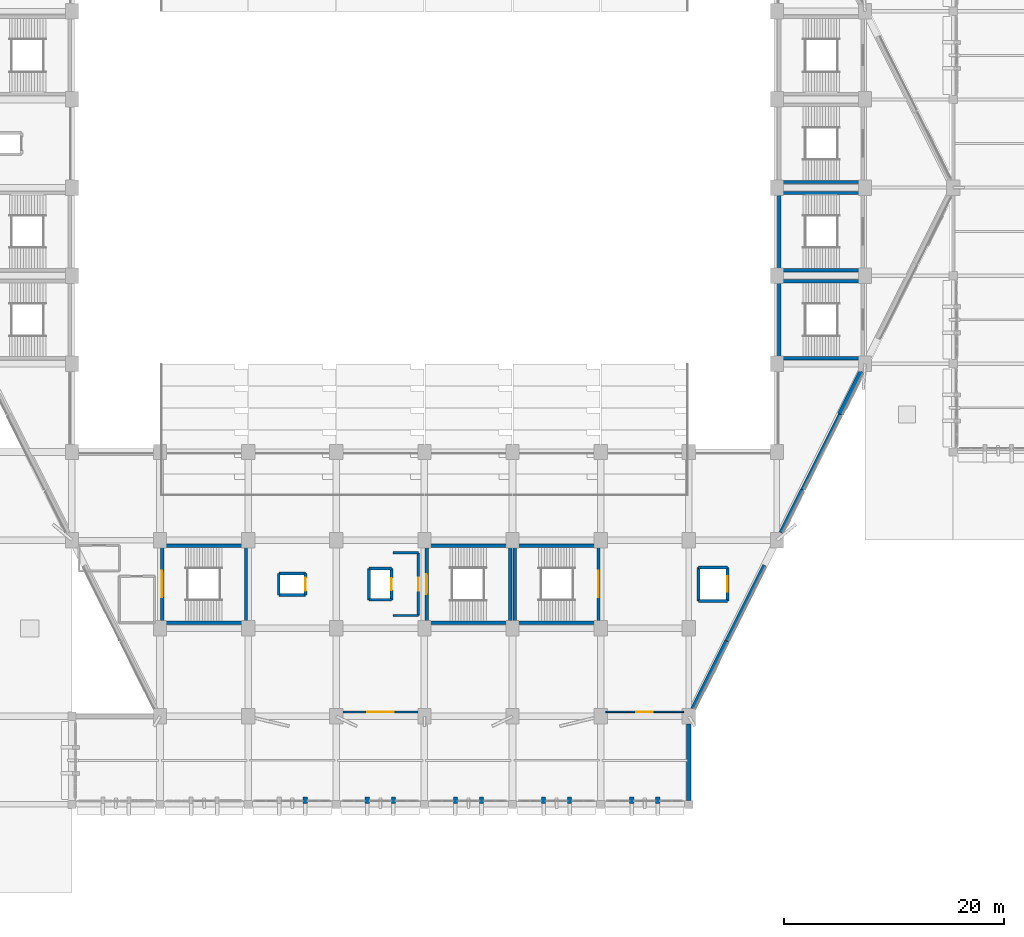
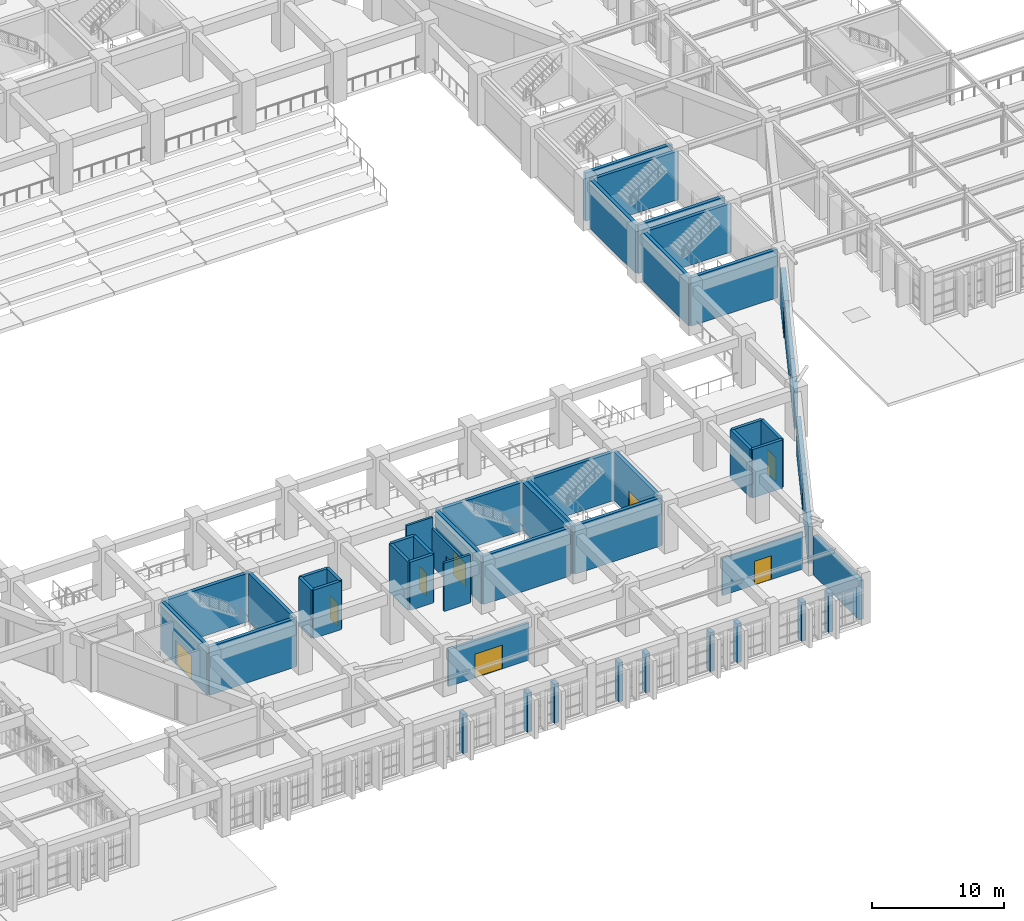
# One storey, part 135 of 155: 51 walls, 9 doors, 9 openings.
"""IFC4 building model written with IfcOpenShell, lengths in metres."""

from ifc_helpers import new_model, si_unit, direction, frame, frame_2d, origin, place, context, subcontext, project, spatial, rectangle, extrude, material, layer, layer_set, type_object, element, fill, save


model = new_model("IFC4")

# Units and contexts
model_context = context("Model", 3, precision=1e-05, world=origin(), true_north=direction((0.0, 1.0)))
body_context = subcontext(model_context, "Body", "Model", "MODEL_VIEW")
ifc_project = project(units=[si_unit("LENGTHUNIT", "METRE"), si_unit("AREAUNIT", "SQUARE_METRE"), si_unit("VOLUMEUNIT", "CUBIC_METRE"), si_unit("PLANEANGLEUNIT", "RADIAN"), si_unit("MASSUNIT", "GRAM", prefix="KILO")], contexts=[model_context])

# Site, building, storey
site_placement = place(None, origin())
site = spatial("IfcSite", under=ifc_project, at=site_placement, CompositionType="ELEMENT")
building_placement = place(site_placement, origin())
building = spatial("IfcBuilding", under=site, at=building_placement, Name="Tazarka Park Arena", CompositionType="ELEMENT")
storey_placement = place(building_placement, frame((0.0, 0.0, 5.39990234375)))
storey = spatial("IfcBuildingStorey", under=building, at=storey_placement, Name="L01", CompositionType="ELEMENT", Elevation=5.39990234375)

# Wall
ifc_material_1 = material(Name="Concrete C40/50", Category="concrete")
ifc_layer_1 = layer(ifc_material_1, 0.300048828125, Name="Concrete C40/50")
ifc_layer_set_1 = layer_set([ifc_layer_1], Name="Concrete C40/50")
wall_type_1 = type_object("IfcWallType", Name="IWAL-CW-S1", PredefinedType="SHEAR", material=ifc_layer_set_1)
wall_1_placement = place(storey_placement, frame((71.800048828125, 24.5, 0.0), z_axis=(0.0, 0.0, 1.0), x_axis=(-1.0, 0.0, 0.0)))
element("IfcWall", 1, at=wall_1_placement, inside=storey, type_object=wall_type_1, Name="SCW-L01-ST09-S", PredefinedType="SHEAR", context=body_context, shape_type="SweptSolid", body=[
    extrude(rectangle(XDim=7.60009765625, YDim=0.300048828125, at=frame_2d((3.800048828125, 0.0))), origin(), (0.0, 0.0, 1.0), 4.47998046875),
])

# Wall, opening, door
wall_2_placement = place(storey_placement, frame((64.199951171875, 24.5, 0.0), z_axis=(0.0, 0.0, 1.0), x_axis=(0.0, 1.0, 0.0)))
wall_2 = element("IfcWall", 2, at=wall_2_placement, inside=storey, type_object=wall_type_1, Name="SCW-L01-ST09-W", PredefinedType="SHEAR", context=body_context, shape_type="SweptSolid", body=[
    extrude(rectangle(XDim=7.0, YDim=0.300048828125, at=frame_2d((3.5, 0.0))), origin(), (0.0, 0.0, 1.0), 4.47998046875),
])
opening_1_placement = place(wall_2_placement, frame((2.300048828125, 0.0, 0.0)))
opening_1 = element("IfcOpeningElement", 3, at=opening_1_placement, cuts=wall_2, Name="Opening ID-05", PredefinedType="OPENING", context=body_context, shape_type="SweptSolid", body=[
    extrude(rectangle(XDim=2.39990234375, YDim=2.199951171875, at=frame_2d((1.199951171875, 1.10009765625))), frame((0.0, 0.16015625, 0.0), z_axis=(0.0, -1.0, 0.0), x_axis=(1.0, 0.0, 0.0)), (0.0, 0.0, 1.0), 0.320068359375),
])
ifc_material_2 = material(Name="Fire-rated powder-coated steel and acoustic timber", Category="steel")
door_type_1 = type_object("IfcDoorType", Name="IDR-ID-05", OperationType="NOTDEFINED", PredefinedType="DOOR", material=ifc_material_2)
door_1_placement = place(opening_1_placement, frame((2.39990234375, 0.0, 0.0), z_axis=(0.0, 0.0, 1.0), x_axis=(-1.0, 0.0, 0.0)))
door_1 = element("IfcDoor", 4, at=door_1_placement, inside=storey, type_object=door_type_1, Name="Exit Stair Door ST09-L01", OperationType="DOUBLE_DOOR_SINGLE_SWING", OverallHeight=2.199951171875, OverallWidth=2.39990234375, PredefinedType="DOOR", context=body_context, shape_type="SweptSolid", body=[
    extrude(rectangle(XDim=2.39990234375, YDim=2.199951171875, at=frame_2d((1.199951171875, 1.10009765625))), frame((0.0, 0.02490234375, 0.0), z_axis=(0.0, -1.0, 0.0), x_axis=(1.0, 0.0, 0.0)), (0.0, 0.0, 1.0), 0.050048828125),
])
fill(opening_1, door_1)

# Walls
wall_3_placement = place(storey_placement, frame((64.199951171875, 31.5, 0.0), z_axis=(0.0, 0.0, 1.0), x_axis=(1.0, 0.0, 0.0)))
element("IfcWall", 5, at=wall_3_placement, inside=storey, type_object=wall_type_1, Name="SCW-L01-ST09-N", PredefinedType="SHEAR", context=body_context, shape_type="SweptSolid", body=[
    extrude(rectangle(XDim=7.60009765625, YDim=0.300048828125, at=frame_2d((3.800048828125, 0.0))), origin(), (0.0, 0.0, 1.0), 4.47998046875),
])
wall_4_placement = place(storey_placement, frame((71.800048828125, 31.5, 0.0), z_axis=(0.0, 0.0, 1.0), x_axis=(0.0, -1.0, 0.0)))
element("IfcWall", 6, at=wall_4_placement, inside=storey, type_object=wall_type_1, Name="SCW-L01-ST09-E", PredefinedType="SHEAR", context=body_context, shape_type="SweptSolid", body=[
    extrude(rectangle(XDim=7.0, YDim=0.300048828125, at=frame_2d((3.5, 0.0))), origin(), (0.0, 0.0, 1.0), 4.47998046875),
])
wall_5_placement = place(storey_placement, frame((103.800048828125, 24.5, 0.0), z_axis=(0.0, 0.0, 1.0), x_axis=(-1.0, 0.0, 0.0)))
element("IfcWall", 7, at=wall_5_placement, inside=storey, type_object=wall_type_1, Name="SCW-L01-ST11-S", PredefinedType="SHEAR", context=body_context, shape_type="SweptSolid", body=[
    extrude(rectangle(XDim=7.60009765625, YDim=0.300048828125, at=frame_2d((3.800048828125, 0.0))), origin(), (0.0, 0.0, 1.0), 4.47998046875),
])
wall_6_placement = place(storey_placement, frame((96.199951171875, 24.5, 0.0), z_axis=(0.0, 0.0, 1.0), x_axis=(0.0, 1.0, 0.0)))
element("IfcWall", 8, at=wall_6_placement, inside=storey, type_object=wall_type_1, Name="SCW-L01-ST11-W", PredefinedType="SHEAR", context=body_context, shape_type="SweptSolid", body=[
    extrude(rectangle(XDim=7.0, YDim=0.300048828125, at=frame_2d((3.5, 0.0))), origin(), (0.0, 0.0, 1.0), 4.47998046875),
])
wall_7_placement = place(storey_placement, frame((96.199951171875, 31.5, 0.0), z_axis=(0.0, 0.0, 1.0), x_axis=(1.0, 0.0, 0.0)))
element("IfcWall", 9, at=wall_7_placement, inside=storey, type_object=wall_type_1, Name="SCW-L01-ST11-N", PredefinedType="SHEAR", context=body_context, shape_type="SweptSolid", body=[
    extrude(rectangle(XDim=7.60009765625, YDim=0.300048828125, at=frame_2d((3.800048828125, 0.0))), origin(), (0.0, 0.0, 1.0), 4.47998046875),
])

# Wall, opening, door
wall_8_placement = place(storey_placement, frame((103.800048828125, 31.5, 0.0), z_axis=(0.0, 0.0, 1.0), x_axis=(0.0, -1.0, 0.0)))
wall_8 = element("IfcWall", 10, at=wall_8_placement, inside=storey, type_object=wall_type_1, Name="SCW-L01-ST11-E", PredefinedType="SHEAR", context=body_context, shape_type="SweptSolid", body=[
    extrude(rectangle(XDim=7.0, YDim=0.300048828125, at=frame_2d((3.5, 0.0))), origin(), (0.0, 0.0, 1.0), 4.47998046875),
])
opening_2_placement = place(wall_8_placement, frame((2.300048828125, 0.0, 0.0)))
opening_2 = element("IfcOpeningElement", 11, at=opening_2_placement, cuts=wall_8, Name="Opening ID-05", PredefinedType="OPENING", context=body_context, shape_type="SweptSolid", body=[
    extrude(rectangle(XDim=2.39990234375, YDim=2.199951171875, at=frame_2d((1.199951171875, 1.10009765625))), frame((0.0, 0.16015625, 0.0), z_axis=(0.0, -1.0, 0.0), x_axis=(1.0, 0.0, 0.0)), (0.0, 0.0, 1.0), 0.320068359375),
])
door_2_placement = place(opening_2_placement, frame((2.39990234375, 0.0, 0.0), z_axis=(0.0, 0.0, 1.0), x_axis=(-1.0, 0.0, 0.0)))
door_2 = element("IfcDoor", 12, at=door_2_placement, inside=storey, type_object=door_type_1, Name="Exit Stair Door ST11-L01", OperationType="DOUBLE_DOOR_SINGLE_SWING", OverallHeight=2.199951171875, OverallWidth=2.39990234375, PredefinedType="DOOR", context=body_context, shape_type="SweptSolid", body=[
    extrude(rectangle(XDim=2.39990234375, YDim=2.199951171875, at=frame_2d((1.199951171875, 1.10009765625))), frame((0.0, 0.02490234375, 0.0), z_axis=(0.0, -1.0, 0.0), x_axis=(1.0, 0.0, 0.0)), (0.0, 0.0, 1.0), 0.050048828125),
])
fill(opening_2, door_2)

# Walls
wall_9_placement = place(storey_placement, frame((127.800048828125, 56.5, 0.0), z_axis=(0.0, 0.0, 1.0), x_axis=(-1.0, 0.0, 0.0)))
element("IfcWall", 13, at=wall_9_placement, inside=storey, type_object=wall_type_1, Name="SCW-L01-ST12-S", PredefinedType="SHEAR", context=body_context, shape_type="SweptSolid", body=[
    extrude(rectangle(XDim=7.60009765625, YDim=0.300048828125, at=frame_2d((3.800048828125, 0.0))), origin(), (0.0, 0.0, 1.0), 4.47998046875),
])
wall_10_placement = place(storey_placement, frame((120.199951171875, 56.5, 0.0), z_axis=(0.0, 0.0, 1.0), x_axis=(0.0, 1.0, 0.0)))
element("IfcWall", 14, at=wall_10_placement, inside=storey, type_object=wall_type_1, Name="SCW-L01-ST12-W", PredefinedType="SHEAR", context=body_context, shape_type="SweptSolid", body=[
    extrude(rectangle(XDim=7.0, YDim=0.300048828125, at=frame_2d((3.5, 0.0))), origin(), (0.0, 0.0, 1.0), 4.47998046875),
])
for number, where, z_axis, x_axis, name in (
    (15, (120.199951171875, 63.5, 0.0), (0.0, 0.0, 1.0), (1.0, 0.0, 0.0), "SCW-L01-ST12-N"),
    (16, (127.800048828125, 64.5, 0.0), (0.0, 0.0, 1.0), (-1.0, 0.0, 0.0), "SCW-L01-ST16-S"),
    (17, (127.800048828125, 48.5, 0.0), (0.0, 0.0, 1.0), (-1.0, 0.0, 0.0), "SCW-L01-ST21-S"),
):
    element("IfcWall", number, at=place(storey_placement, frame(where, z_axis=z_axis, x_axis=x_axis)), inside=storey, type_object=wall_type_1, Name=name, PredefinedType="SHEAR", context=body_context, shape_type="SweptSolid", body=[
        extrude(rectangle(XDim=7.60009765625, YDim=0.300048828125, at=frame_2d((3.800048828125, 0.0))), origin(), (0.0, 0.0, 1.0), 4.47998046875),
    ])
wall_11_placement = place(storey_placement, frame((120.199951171875, 48.5, 0.0), z_axis=(0.0, 0.0, 1.0), x_axis=(0.0, 1.0, 0.0)))
element("IfcWall", 18, at=wall_11_placement, inside=storey, type_object=wall_type_1, Name="SCW-L01-ST21-W", PredefinedType="SHEAR", context=body_context, shape_type="SweptSolid", body=[
    extrude(rectangle(XDim=7.0, YDim=0.300048828125, at=frame_2d((3.5, 0.0))), origin(), (0.0, 0.0, 1.0), 4.47998046875),
])
for number, where, z_axis, x_axis, name in (
    (19, (120.199951171875, 55.5, 0.0), (0.0, 0.0, 1.0), (1.0, 0.0, 0.0), "SCW-L01-ST21-N"),
    (20, (95.800048828125, 24.5, 0.0), (0.0, 0.0, 1.0), (-1.0, 0.0, 0.0), "SCW-L01-ST23-S"),
):
    element("IfcWall", number, at=place(storey_placement, frame(where, z_axis=z_axis, x_axis=x_axis)), inside=storey, type_object=wall_type_1, Name=name, PredefinedType="SHEAR", context=body_context, shape_type="SweptSolid", body=[
        extrude(rectangle(XDim=7.60009765625, YDim=0.300048828125, at=frame_2d((3.800048828125, 0.0))), origin(), (0.0, 0.0, 1.0), 4.47998046875),
    ])

# Wall, opening, door
wall_12_placement = place(storey_placement, frame((88.199951171875, 24.5, 0.0), z_axis=(0.0, 0.0, 1.0), x_axis=(0.0, 1.0, 0.0)))
wall_12 = element("IfcWall", 21, at=wall_12_placement, inside=storey, type_object=wall_type_1, Name="SCW-L01-ST23-W", PredefinedType="SHEAR", context=body_context, shape_type="SweptSolid", body=[
    extrude(rectangle(XDim=7.0, YDim=0.300048828125, at=frame_2d((3.5, 0.0))), origin(), (0.0, 0.0, 1.0), 4.47998046875),
])
opening_3_placement = place(wall_12_placement, frame((2.60009765625, 0.0, 0.0)))
opening_3 = element("IfcOpeningElement", 22, at=opening_3_placement, cuts=wall_12, Name="Opening ID-04", PredefinedType="OPENING", context=body_context, shape_type="SweptSolid", body=[
    extrude(rectangle(XDim=1.800048828125, YDim=2.199951171875, at=frame_2d((0.89990234375, 1.10009765625))), frame((0.0, 0.16015625, 0.0), z_axis=(0.0, -1.0, 0.0), x_axis=(1.0, 0.0, 0.0)), (0.0, 0.0, 1.0), 0.320068359375),
])
ifc_material_3 = material(Name="Fire-rated powder-coated steel and acoustic timber", Category="steel")
door_type_2 = type_object("IfcDoorType", Name="IDR-ID-04", OperationType="NOTDEFINED", PredefinedType="DOOR", material=ifc_material_3)
door_3_placement = place(opening_3_placement, frame((1.800048828125, 0.0, 0.0), z_axis=(0.0, 0.0, 1.0), x_axis=(-1.0, 0.0, 0.0)))
door_3 = element("IfcDoor", 23, at=door_3_placement, inside=storey, type_object=door_type_2, Name="Vomitory Stair Door ST23-L01", OperationType="DOUBLE_DOOR_SINGLE_SWING", OverallHeight=2.199951171875, OverallWidth=1.800048828125, PredefinedType="DOOR", context=body_context, shape_type="SweptSolid", body=[
    extrude(rectangle(XDim=1.800048828125, YDim=2.199951171875, at=frame_2d((0.89990234375, 1.10009765625))), frame((0.0, 0.02490234375, 0.0), z_axis=(0.0, -1.0, 0.0), x_axis=(1.0, 0.0, 0.0)), (0.0, 0.0, 1.0), 0.050048828125),
])
fill(opening_3, door_3)

# Walls
wall_13_placement = place(storey_placement, frame((88.199951171875, 31.5, 0.0), z_axis=(0.0, 0.0, 1.0), x_axis=(1.0, 0.0, 0.0)))
element("IfcWall", 24, at=wall_13_placement, inside=storey, type_object=wall_type_1, Name="SCW-L01-ST23-N", PredefinedType="SHEAR", context=body_context, shape_type="SweptSolid", body=[
    extrude(rectangle(XDim=7.60009765625, YDim=0.300048828125, at=frame_2d((3.800048828125, 0.0))), origin(), (0.0, 0.0, 1.0), 4.47998046875),
])
wall_14_placement = place(storey_placement, frame((95.800048828125, 31.5, 0.0), z_axis=(0.0, 0.0, 1.0), x_axis=(0.0, -1.0, 0.0)))
element("IfcWall", 25, at=wall_14_placement, inside=storey, type_object=wall_type_1, Name="SCW-L01-ST23-E", PredefinedType="SHEAR", context=body_context, shape_type="SweptSolid", body=[
    extrude(rectangle(XDim=7.0, YDim=0.300048828125, at=frame_2d((3.5, 0.0))), origin(), (0.0, 0.0, 1.0), 4.47998046875),
])
ifc_material_4 = material(Name="Concrete C40/50", Category="concrete")
ifc_layer_2 = layer(ifc_material_4, 0.260009765625, Name="Concrete C40/50")
ifc_layer_set_2 = layer_set([ifc_layer_2], Name="Concrete C40/50")
wall_type_2 = type_object("IfcWallType", Name="IWAL-CW-S3", PredefinedType="SHEAR", material=ifc_layer_set_2)
wall_15_placement = place(storey_placement, frame((82.97998046875, 26.580078125, 0.0), z_axis=(0.0, 0.0, 1.0), x_axis=(0.0, 1.0, 0.0)))
element("IfcWall", 26, at=wall_15_placement, inside=storey, type_object=wall_type_2, Name="LSW-L01-LF-04-W", PredefinedType="SHEAR", context=body_context, shape_type="SweptSolid", body=[
    extrude(rectangle(XDim=2.83984375, YDim=0.260009765625, at=frame_2d((1.419921875, 0.0))), origin(), (0.0, 0.0, 1.0), 4.47998046875),
])
for number, where, z_axis, x_axis, name in (
    (27, (82.97998046875, 29.419921875, 0.0), (0.0, 0.0, 1.0), (1.0, 0.0, 0.0), "LSW-L01-LF-04-N"),
    (28, (85.02001953125, 26.580078125, 0.0), (0.0, 0.0, 1.0), (-1.0, 0.0, 0.0), "LSW-L01-LF-04-S"),
):
    element("IfcWall", number, at=place(storey_placement, frame(where, z_axis=z_axis, x_axis=x_axis)), inside=storey, type_object=wall_type_2, Name=name, PredefinedType="SHEAR", context=body_context, shape_type="SweptSolid", body=[
        extrude(rectangle(XDim=2.0400390625, YDim=0.260009765625, at=frame_2d((1.02001953125, 0.0))), origin(), (0.0, 0.0, 1.0), 4.47998046875),
    ])

# Wall, opening, door
wall_16_placement = place(storey_placement, frame((85.02001953125, 29.419921875, 0.0), z_axis=(0.0, 0.0, 1.0), x_axis=(0.0, -1.0, 0.0)))
wall_16 = element("IfcWall", 29, at=wall_16_placement, inside=storey, type_object=wall_type_2, Name="LSW-L01-LF-04-E", PredefinedType="SHEAR", context=body_context, shape_type="SweptSolid", body=[
    extrude(rectangle(XDim=2.83984375, YDim=0.260009765625, at=frame_2d((1.419921875, 0.0))), origin(), (0.0, 0.0, 1.0), 4.47998046875),
])
opening_4_placement = place(wall_16_placement, frame((0.8701171875, 0.0, 0.0)))
opening_4 = element("IfcOpeningElement", 30, at=opening_4_placement, cuts=wall_16, Name="Opening LD-01", PredefinedType="OPENING", context=body_context, shape_type="SweptSolid", body=[
    extrude(rectangle(XDim=1.10009765625, YDim=2.14990234375, at=frame_2d((0.550048828125, 1.074951171875))), frame((0.0, 0.14013671875, 0.0), z_axis=(0.0, -1.0, 0.0), x_axis=(1.0, 0.0, 0.0)), (0.0, 0.0, 1.0), 0.280029296875),
])
ifc_material_5 = material(Name="Fire-rated powder-coated steel and acoustic timber", Category="steel")
door_type_3 = type_object("IfcDoorType", Name="IDR-LD-01", OperationType="NOTDEFINED", PredefinedType="DOOR", material=ifc_material_5)
door_4_placement = place(opening_4_placement, origin())
door_4 = element("IfcDoor", 31, at=door_4_placement, inside=storey, type_object=door_type_3, Name="Lift Landing Door LF-04-L01", OperationType="SLIDING_TO_LEFT", OverallHeight=2.14990234375, OverallWidth=1.10009765625, PredefinedType="DOOR", context=body_context, shape_type="SweptSolid", body=[
    extrude(rectangle(XDim=1.10009765625, YDim=2.14990234375, at=frame_2d((0.550048828125, 1.074951171875))), frame((0.0, 0.02490234375, 0.0), z_axis=(0.0, -1.0, 0.0), x_axis=(1.0, 0.0, 0.0)), (0.0, 0.0, 1.0), 0.050048828125),
])
fill(opening_4, door_4)

# Walls
wall_17_placement = place(storey_placement, frame((74.780029296875, 27.030029296875, 0.0), z_axis=(0.0, 0.0, 1.0), x_axis=(0.0, 1.0, 0.0)))
element("IfcWall", 32, at=wall_17_placement, inside=storey, type_object=wall_type_2, Name="LSW-L01-LF-08-W", PredefinedType="SHEAR", context=body_context, shape_type="SweptSolid", body=[
    extrude(rectangle(XDim=1.93994140625, YDim=0.260009765625, at=frame_2d((0.969970703125, 0.0))), origin(), (0.0, 0.0, 1.0), 4.47998046875),
])
for number, where, z_axis, x_axis, name in (
    (33, (74.780029296875, 28.969970703125, 0.0), (0.0, 0.0, 1.0), (1.0, 0.0, 0.0), "LSW-L01-LF-08-N"),
    (34, (77.219970703125, 27.030029296875, 0.0), (0.0, 0.0, 1.0), (-1.0, 0.0, 0.0), "LSW-L01-LF-08-S"),
):
    element("IfcWall", number, at=place(storey_placement, frame(where, z_axis=z_axis, x_axis=x_axis)), inside=storey, type_object=wall_type_2, Name=name, PredefinedType="SHEAR", context=body_context, shape_type="SweptSolid", body=[
        extrude(rectangle(XDim=2.43994140625, YDim=0.260009765625, at=frame_2d((1.219970703125, 0.0))), origin(), (0.0, 0.0, 1.0), 4.47998046875),
    ])

# Wall, opening, door
wall_18_placement = place(storey_placement, frame((77.219970703125, 28.969970703125, 0.0), z_axis=(0.0, 0.0, 1.0), x_axis=(0.0, -1.0, 0.0)))
wall_18 = element("IfcWall", 35, at=wall_18_placement, inside=storey, type_object=wall_type_2, Name="LSW-L01-LF-08-E", PredefinedType="SHEAR", context=body_context, shape_type="SweptSolid", body=[
    extrude(rectangle(XDim=1.93994140625, YDim=0.260009765625, at=frame_2d((0.969970703125, 0.0))), origin(), (0.0, 0.0, 1.0), 4.47998046875),
])
opening_5_placement = place(wall_18_placement, frame((0.3701171875, 0.0, 0.0)))
opening_5 = element("IfcOpeningElement", 36, at=opening_5_placement, cuts=wall_18, Name="Opening LD-02", PredefinedType="OPENING", context=body_context, shape_type="SweptSolid", body=[
    extrude(rectangle(XDim=1.199951171875, YDim=2.14990234375, at=frame_2d((0.60009765625, 1.074951171875))), frame((0.0, 0.14013671875, 0.0), z_axis=(0.0, -1.0, 0.0), x_axis=(1.0, 0.0, 0.0)), (0.0, 0.0, 1.0), 0.280029296875),
])
ifc_material_6 = material(Name="Fire-rated powder-coated steel and acoustic timber", Category="steel")
door_type_4 = type_object("IfcDoorType", Name="IDR-LD-02", OperationType="NOTDEFINED", PredefinedType="DOOR", material=ifc_material_6)
door_5_placement = place(opening_5_placement, origin())
door_5 = element("IfcDoor", 37, at=door_5_placement, inside=storey, type_object=door_type_4, Name="Lift Landing Door LF-08-L01", OperationType="SLIDING_TO_LEFT", OverallHeight=2.14990234375, OverallWidth=1.199951171875, PredefinedType="DOOR", context=body_context, shape_type="SweptSolid", body=[
    extrude(rectangle(XDim=1.199951171875, YDim=2.14990234375, at=frame_2d((0.60009765625, 1.074951171875))), frame((0.0, 0.02490234375, 0.0), z_axis=(0.0, -1.0, 0.0), x_axis=(1.0, 0.0, 0.0)), (0.0, 0.0, 1.0), 0.050048828125),
])
fill(opening_5, door_5)

# Walls
wall_19_placement = place(storey_placement, frame((112.8798828125, 26.47998046875, 0.0), z_axis=(0.0, 0.0, 1.0), x_axis=(0.0, 1.0, 0.0)))
element("IfcWall", 38, at=wall_19_placement, inside=storey, type_object=wall_type_2, Name="LSW-L01-LF-11-W", PredefinedType="SHEAR", context=body_context, shape_type="SweptSolid", body=[
    extrude(rectangle(XDim=3.0400390625, YDim=0.260009765625, at=frame_2d((1.52001953125, 0.0))), origin(), (0.0, 0.0, 1.0), 4.47998046875),
])
for number, where, z_axis, x_axis, name in (
    (39, (112.8798828125, 29.52001953125, 0.0), (0.0, 0.0, 1.0), (1.0, 0.0, 0.0), "LSW-L01-LF-11-N"),
    (40, (115.52001953125, 26.47998046875, 0.0), (0.0, 0.0, 1.0), (-1.0, 0.0, 0.0), "LSW-L01-LF-11-S"),
):
    element("IfcWall", number, at=place(storey_placement, frame(where, z_axis=z_axis, x_axis=x_axis)), inside=storey, type_object=wall_type_2, Name=name, PredefinedType="SHEAR", context=body_context, shape_type="SweptSolid", body=[
        extrude(rectangle(XDim=2.64013671875, YDim=0.260009765625, at=frame_2d((1.320068359375, 0.0))), origin(), (0.0, 0.0, 1.0), 4.47998046875),
    ])

# Wall, opening, door
wall_20_placement = place(storey_placement, frame((115.52001953125, 29.52001953125, 0.0), z_axis=(0.0, 0.0, 1.0), x_axis=(0.0, -1.0, 0.0)))
wall_20 = element("IfcWall", 41, at=wall_20_placement, inside=storey, type_object=wall_type_2, Name="LSW-L01-LF-11-E", PredefinedType="SHEAR", context=body_context, shape_type="SweptSolid", body=[
    extrude(rectangle(XDim=3.0400390625, YDim=0.260009765625, at=frame_2d((1.52001953125, 0.0))), origin(), (0.0, 0.0, 1.0), 4.47998046875),
])
opening_6_placement = place(wall_20_placement, frame((0.820068359375, 0.0, 0.0)))
opening_6 = element("IfcOpeningElement", 42, at=opening_6_placement, cuts=wall_20, Name="Opening LD-03", PredefinedType="OPENING", context=body_context, shape_type="SweptSolid", body=[
    extrude(rectangle(XDim=1.39990234375, YDim=2.199951171875, at=frame_2d((0.699951171875, 1.10009765625))), frame((0.0, 0.14013671875, 0.0), z_axis=(0.0, -1.0, 0.0), x_axis=(1.0, 0.0, 0.0)), (0.0, 0.0, 1.0), 0.280029296875),
])
ifc_material_7 = material(Name="Fire-rated powder-coated steel and acoustic timber", Category="steel")
door_type_5 = type_object("IfcDoorType", Name="IDR-LD-03", OperationType="NOTDEFINED", PredefinedType="DOOR", material=ifc_material_7)
door_6_placement = place(opening_6_placement, origin())
door_6 = element("IfcDoor", 43, at=door_6_placement, inside=storey, type_object=door_type_5, Name="Lift Landing Door LF-11-L01", OperationType="SLIDING_TO_LEFT", OverallHeight=2.199951171875, OverallWidth=1.39990234375, PredefinedType="DOOR", context=body_context, shape_type="SweptSolid", body=[
    extrude(rectangle(XDim=1.39990234375, YDim=2.199951171875, at=frame_2d((0.699951171875, 1.10009765625))), frame((0.0, 0.02490234375, 0.0), z_axis=(0.0, -1.0, 0.0), x_axis=(1.0, 0.0, 0.0)), (0.0, 0.0, 1.0), 0.050048828125),
])
fill(opening_6, door_6)

ifc_material_8 = material(Name="Lightweight acoustic blockwork", Category="masonry")
ifc_layer_3 = layer(ifc_material_8, 0.139892578125, Name="Lightweight acoustic blockwork")
ifc_layer_set_3 = layer_set([ifc_layer_3], Name="Lightweight acoustic blockwork")
wall_type_3 = type_object("IfcWallType", Name="IWAL-PT-01", PredefinedType="PARTITIONING", material=ifc_layer_set_3)
wall_21_placement = place(storey_placement, frame((111.52685546875, 16.39990234375, 0.0), z_axis=(0.0, 0.0, 1.0), x_axis=(-1.0, 0.0, 0.0)))
wall_21 = element("IfcWall", 44, at=wall_21_placement, inside=storey, type_object=wall_type_3, Name="PRT-L01-019", PredefinedType="PARTITIONING", context=body_context, shape_type="SweptSolid", body=[
    extrude(rectangle(XDim=7.0537109375, YDim=0.139892578125, at=frame_2d((3.52685546875, 0.0))), origin(), (0.0, 0.0, 1.0), 3.4501953125),
])
opening_7_placement = place(wall_21_placement, frame((2.77685546875, 0.0, 0.0)))
opening_7 = element("IfcOpeningElement", 45, at=opening_7_placement, cuts=wall_21, Name="Opening ID-06", PredefinedType="OPENING", context=body_context, shape_type="SweptSolid", body=[
    extrude(rectangle(XDim=1.5, YDim=2.199951171875, at=frame_2d((0.75, 1.10009765625))), frame((0.0, 0.080078125, 0.0), z_axis=(0.0, -1.0, 0.0), x_axis=(1.0, 0.0, 0.0)), (0.0, 0.0, 1.0), 0.159912109375),
])
ifc_material_9 = material(Name="Fire-rated powder-coated steel and acoustic timber", Category="steel")
door_type_6 = type_object("IfcDoorType", Name="IDR-ID-06", OperationType="NOTDEFINED", PredefinedType="DOOR", material=ifc_material_9)
door_7_placement = place(opening_7_placement, origin())
door_7 = element("IfcDoor", 46, at=door_7_placement, inside=storey, type_object=door_type_6, Name="Room Door South-East Courtside Club Dining Suite", OperationType="DOUBLE_DOOR_SINGLE_SWING", OverallHeight=2.199951171875, OverallWidth=1.5, PredefinedType="DOOR", context=body_context, shape_type="SweptSolid", body=[
    extrude(rectangle(XDim=1.5, YDim=2.199951171875, at=frame_2d((0.75, 1.10009765625))), frame((0.0, 0.02490234375, 0.0), z_axis=(0.0, -1.0, 0.0), x_axis=(1.0, 0.0, 0.0)), (0.0, 0.0, 1.0), 0.050048828125),
])
fill(opening_7, door_7)

# Walls
ifc_material_10 = material(Name="Reinforced masonry compartment wall", Category="masonry")
ifc_layer_4 = layer(ifc_material_10, 0.199951171875, Name="Reinforced masonry compartment wall")
ifc_layer_set_4 = layer_set([ifc_layer_4], Name="Reinforced masonry compartment wall")
wall_type_4 = type_object("IfcWallType", Name="IWAL-PT-04", PredefinedType="PARTITIONING", material=ifc_layer_set_4)
for number, where, z_axis, x_axis, name in (
    (47, (85.14990234375, 30.85009765625, 0.0), (0.0, 0.0, 1.0), (1.0, 0.0, 0.0), "FFW-L01-LF-04-N"),
    (48, (87.449951171875, 25.14990234375, 0.0), (0.0, 0.0, 1.0), (-1.0, 0.0, 0.0), "FFW-L01-LF-04-S"),
):
    element("IfcWall", number, at=place(storey_placement, frame(where, z_axis=z_axis, x_axis=x_axis)), inside=storey, type_object=wall_type_4, Name=name, PredefinedType="PARTITIONING", context=body_context, shape_type="SweptSolid", body=[
        extrude(rectangle(XDim=2.300048828125, YDim=0.199951171875, at=frame_2d((1.14990234375, 0.0))), origin(), (0.0, 0.0, 1.0), 4.47998046875),
    ])

# Wall, opening, door
wall_22_placement = place(storey_placement, frame((87.449951171875, 30.85009765625, 0.0), z_axis=(0.0, 0.0, 1.0), x_axis=(0.0, -1.0, 0.0)))
wall_22 = element("IfcWall", 49, at=wall_22_placement, inside=storey, type_object=wall_type_4, Name="FFW-L01-LF-04-E", PredefinedType="PARTITIONING", context=body_context, shape_type="SweptSolid", body=[
    extrude(rectangle(XDim=5.7001953125, YDim=0.199951171875, at=frame_2d((2.85009765625, 0.0))), origin(), (0.0, 0.0, 1.0), 3.4501953125),
])
opening_8_placement = place(wall_22_placement, frame((2.25, 0.0, 0.0)))
opening_8 = element("IfcOpeningElement", 50, at=opening_8_placement, cuts=wall_22, Name="Opening ID-03", PredefinedType="OPENING", context=body_context, shape_type="SweptSolid", body=[
    extrude(rectangle(XDim=1.199951171875, YDim=2.199951171875, at=frame_2d((0.60009765625, 1.10009765625))), frame((0.0, 0.10986328125, 0.0), z_axis=(0.0, -1.0, 0.0), x_axis=(1.0, 0.0, 0.0)), (0.0, 0.0, 1.0), 0.219970703125),
])
ifc_material_11 = material(Name="Fire-rated powder-coated steel and acoustic timber", Category="steel")
door_type_7 = type_object("IfcDoorType", Name="IDR-ID-03", OperationType="NOTDEFINED", PredefinedType="DOOR", material=ifc_material_11)
door_8_placement = place(opening_8_placement, origin())
door_8 = element("IfcDoor", 51, at=door_8_placement, inside=storey, type_object=door_type_7, Name="Firefighting Lobby Door LF-04-L01", OperationType="SINGLE_SWING_RIGHT", OverallHeight=2.199951171875, OverallWidth=1.199951171875, PredefinedType="DOOR", context=body_context, shape_type="SweptSolid", body=[
    extrude(rectangle(XDim=1.199951171875, YDim=2.199951171875, at=frame_2d((0.60009765625, 1.10009765625))), frame((0.0, 0.02490234375, 0.0), z_axis=(0.0, -1.0, 0.0), x_axis=(1.0, 0.0, 0.0)), (0.0, 0.0, 1.0), 0.050048828125),
])
fill(opening_8, door_8)

ifc_material_12 = material(Name="Dense concrete blockwork partition", Category="masonry")
ifc_layer_5 = layer(ifc_material_12, 0.215087890625, Name="Dense concrete blockwork partition")
ifc_layer_set_5 = layer_set([ifc_layer_5], Name="Dense concrete blockwork partition")
wall_type_5 = type_object("IfcWallType", Name="IWAL-PT-20", PredefinedType="PARTITIONING", material=ifc_layer_set_5)
wall_23_placement = place(storey_placement, frame((87.52685546875, 16.39990234375, 0.0), z_axis=(0.0, 0.0, 1.0), x_axis=(-1.0, 0.0, 0.0)))
wall_23 = element("IfcWall", 52, at=wall_23_placement, inside=storey, type_object=wall_type_5, Name="PRT-L01-018", PredefinedType="PARTITIONING", context=body_context, shape_type="SweptSolid", body=[
    extrude(rectangle(XDim=7.0537109375, YDim=0.215087890625, at=frame_2d((3.52685546875, 0.0))), origin(), (0.0, 0.0, 1.0), 3.4501953125),
])
opening_9_placement = place(wall_23_placement, frame((2.326904296875, 0.0, 0.0)))
opening_9 = element("IfcOpeningElement", 53, at=opening_9_placement, cuts=wall_23, Name="Opening ID-05", PredefinedType="OPENING", context=body_context, shape_type="SweptSolid", body=[
    extrude(rectangle(XDim=2.39990234375, YDim=2.199951171875, at=frame_2d((1.199951171875, 1.10009765625))), frame((0.0, 0.11767578125, 0.0), z_axis=(0.0, -1.0, 0.0), x_axis=(1.0, 0.0, 0.0)), (0.0, 0.0, 1.0), 0.235107421875),
])
door_9_placement = place(opening_9_placement, origin())
door_9 = element("IfcDoor", 54, at=door_9_placement, inside=storey, type_object=door_type_1, Name="Room Door South-West Courtside Club Dining Suite", OperationType="DOUBLE_DOOR_SINGLE_SWING", OverallHeight=2.199951171875, OverallWidth=2.39990234375, PredefinedType="DOOR", context=body_context, shape_type="SweptSolid", body=[
    extrude(rectangle(XDim=2.39990234375, YDim=2.199951171875, at=frame_2d((1.199951171875, 1.10009765625))), frame((0.0, 0.02490234375, 0.0), z_axis=(0.0, -1.0, 0.0), x_axis=(1.0, 0.0, 0.0)), (0.0, 0.0, 1.0), 0.050048828125),
])
fill(opening_9, door_9)

# Walls
ifc_material_13 = material(Name="Precast concrete C40/50", Category="concrete")
ifc_layer_6 = layer(ifc_material_13, 0.300048828125, Name="Precast concrete C40/50")
ifc_layer_set_6 = layer_set([ifc_layer_6], Name="Precast concrete C40/50")
wall_type_6 = type_object("IfcWallType", Name="WAL-EW-01", PredefinedType="SOLIDWALL", material=ifc_layer_set_6)
wall_24_placement = place(storey_placement, frame((125.71435546875, 43.4287109375, 0.0), z_axis=(0.0, 0.0, 1.0), x_axis=(-0.4472135955, -0.894427191, 0.0)))
element("IfcWall", 55, at=wall_24_placement, inside=storey, type_object=wall_type_6, Name="EW-L01-0160", PredefinedType="SOLIDWALL", context=body_context, shape_type="SweptSolid", body=[
    extrude(rectangle(XDim=7.666748046875, YDim=0.300048828125, at=frame_2d((3.83349609375, 0.0))), origin(), (0.0, 0.0, 1.0), 3.4501953125),
])
ifc_material_14 = material(Name="Precast concrete C40/50", Category="concrete")
ifc_layer_7 = layer(ifc_material_14, 0.320068359375, Name="Precast concrete C40/50")
ifc_layer_set_7 = layer_set([ifc_layer_7], Name="Precast concrete C40/50")
wall_type_7 = type_object("IfcWallType", Name="WAL-EW-02", PredefinedType="SOLIDWALL", material=ifc_layer_set_7)
wall_25_placement = place(storey_placement, frame((122.28564453125, 36.5712890625, 0.0), z_axis=(0.0, 0.0, 1.0), x_axis=(-0.447191148821, -0.894438413987, 0.0)))
element("IfcWall", 56, at=wall_25_placement, inside=storey, type_object=wall_type_7, Name="EW-L01-0161", PredefinedType="SOLIDWALL", context=body_context, shape_type="SweptSolid", body=[
    extrude(rectangle(XDim=4.3505859375, YDim=0.320068359375, at=frame_2d((2.17529296875, 0.0))), origin(), (0.0, 0.0, 1.0), 3.4501953125),
])
ifc_material_15 = material(Name="Concrete C40/50", Category="concrete")
ifc_layer_8 = layer(ifc_material_15, 0.340087890625, Name="Concrete C40/50")
ifc_layer_set_8 = layer_set([ifc_layer_8], Name="Concrete C40/50")
wall_type_8 = type_object("IfcWallType", Name="WAL-EW-03", PredefinedType="SOLIDWALL", material=ifc_layer_set_8)
wall_26_placement = place(storey_placement, frame((118.857177734375, 29.71435546875, 0.0), z_axis=(0.0, 0.0, 1.0), x_axis=(-0.447200857411, -0.894433559931, 0.0)))
element("IfcWall", 57, at=wall_26_placement, inside=storey, type_object=wall_type_8, Name="EW-L01-0162", PredefinedType="SOLIDWALL", context=body_context, shape_type="SweptSolid", body=[
    extrude(rectangle(XDim=7.66650390625, YDim=0.340087890625, at=frame_2d((3.833251953125, 0.0))), origin(), (0.0, 0.0, 1.0), 3.4501953125),
])
ifc_material_16 = material(Name="Concrete C40/50", Category="concrete")
ifc_layer_9 = layer(ifc_material_16, 0.360107421875, Name="Concrete C40/50")
ifc_layer_set_9 = layer_set([ifc_layer_9], Name="Concrete C40/50")
wall_type_9 = type_object("IfcWallType", Name="WAL-EW-04", PredefinedType="SOLIDWALL", material=ifc_layer_set_9)
wall_27_placement = place(storey_placement, frame((115.4287109375, 22.857177734375, 0.0), z_axis=(0.0, 0.0, 1.0), x_axis=(-0.4472135955, -0.894427191, 0.0)))
element("IfcWall", 58, at=wall_27_placement, inside=storey, type_object=wall_type_9, Name="EW-L01-0163", PredefinedType="SOLIDWALL", context=body_context, shape_type="SweptSolid", body=[
    extrude(rectangle(XDim=6.90625, YDim=0.360107421875, at=frame_2d((3.453125, 0.0))), origin(), (0.0, 0.0, 1.0), 3.4501953125),
])
ifc_material_17 = material(Name="Concrete C50/60", Category="concrete")
ifc_layer_10 = layer(ifc_material_17, 0.3798828125, Name="Concrete C50/60")
ifc_layer_set_10 = layer_set([ifc_layer_10], Name="Concrete C50/60")
wall_type_10 = type_object("IfcWallType", Name="WAL-EW-05", PredefinedType="SOLIDWALL", material=ifc_layer_set_10)
for number, where, z_axis, x_axis, name in (
    (59, (77.181640625, 8.669921875, 0.0), (0.0, 0.0, 1.0), (0.0, -1.0, 0.0), "BFP-L01-010-1"),
    (60, (85.181640625, 8.669921875, 0.0), (0.0, 0.0, 1.0), (0.0, -1.0, 0.0), "BFP-L01-013-1"),
    (61, (82.818359375, 8.669921875, 0.0), (0.0, 0.0, 1.0), (0.0, -1.0, 0.0), "BFP-L01-013-2"),
    (62, (93.181640625, 8.669921875, 0.0), (0.0, 0.0, 1.0), (0.0, -1.0, 0.0), "BFP-L01-016-1"),
    (63, (90.818359375, 8.669921875, 0.0), (0.0, 0.0, 1.0), (0.0, -1.0, 0.0), "BFP-L01-016-2"),
    (64, (101.181640625, 8.669921875, 0.0), (0.0, 0.0, 1.0), (0.0, -1.0, 0.0), "BFP-L01-019-1"),
    (65, (98.818359375, 8.669921875, 0.0), (0.0, 0.0, 1.0), (0.0, -1.0, 0.0), "BFP-L01-019-2"),
    (66, (109.181640625, 8.669921875, 0.0), (0.0, 0.0, 1.0), (0.0, -1.0, 0.0), "BFP-L01-022-1"),
    (67, (106.818359375, 8.669921875, 0.0), (0.0, 0.0, 1.0), (0.0, -1.0, 0.0), "BFP-L01-022-2"),
):
    element("IfcWall", number, at=place(storey_placement, frame(where, z_axis=z_axis, x_axis=x_axis)), inside=storey, type_object=wall_type_10, Name=name, PredefinedType="SOLIDWALL", context=body_context, shape_type="SweptSolid", body=[
        extrude(rectangle(XDim=0.599853515625, YDim=0.3798828125, at=frame_2d((0.2998046875, 0.0))), origin(), (0.0, 0.0, 1.0), 3.60009765625),
    ])
ifc_material_18 = material(Name="Concrete C50/60", Category="concrete")
ifc_layer_11 = layer(ifc_material_18, 0.389892578125, Name="Concrete C50/60")
ifc_layer_set_11 = layer_set([ifc_layer_11], Name="Concrete C50/60")
wall_type_11 = type_object("IfcWallType", Name="WAL-EW-13", PredefinedType="SOLIDWALL", material=ifc_layer_set_11)
wall_28_placement = place(storey_placement, frame((112.0, 15.320068359375, 0.0), z_axis=(0.0, 0.0, 1.0), x_axis=(0.0, -1.0, 0.0)))
element("IfcWall", 68, at=wall_28_placement, inside=storey, type_object=wall_type_11, Name="EW-L01-0156", PredefinedType="SOLIDWALL", context=body_context, shape_type="SweptSolid", body=[
    extrude(rectangle(XDim=6.965087890625, YDim=0.389892578125, at=frame_2d((3.482421875, 0.0))), origin(), (0.0, 0.0, 1.0), 3.60009765625),
])
ifc_material_19 = material(Name="Concrete C50/60", Category="concrete")
ifc_layer_12 = layer(ifc_material_19, 0.429931640625, Name="Concrete C50/60")
ifc_layer_set_12 = layer_set([ifc_layer_12], Name="Concrete C50/60")
wall_type_12 = type_object("IfcWallType", Name="WAL-EW-16", PredefinedType="SOLIDWALL", material=ifc_layer_set_12)
wall_29_placement = place(storey_placement, frame((127.659912109375, 47.320068359375, 0.0), z_axis=(0.0, 0.0, 1.0), x_axis=(-0.447191148821, -0.894438413987, 0.0)))
element("IfcWall", 69, at=wall_29_placement, inside=storey, type_object=wall_type_12, Name="EW-L01-0159", PredefinedType="SOLIDWALL", context=body_context, shape_type="SweptSolid", body=[
    extrude(rectangle(XDim=4.3505859375, YDim=0.429931640625, at=frame_2d((2.17529296875, 0.0))), origin(), (0.0, 0.0, 1.0), 3.4501953125),
])

save(model, "model.ifc")
